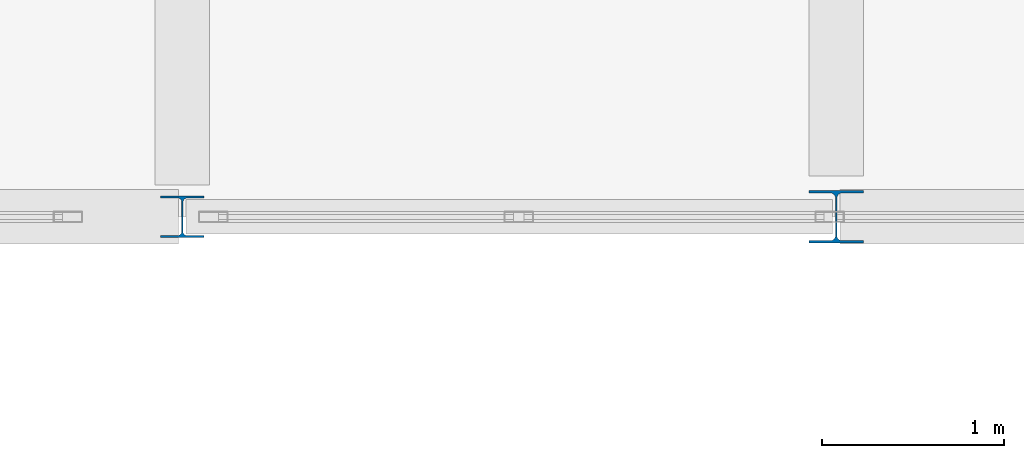
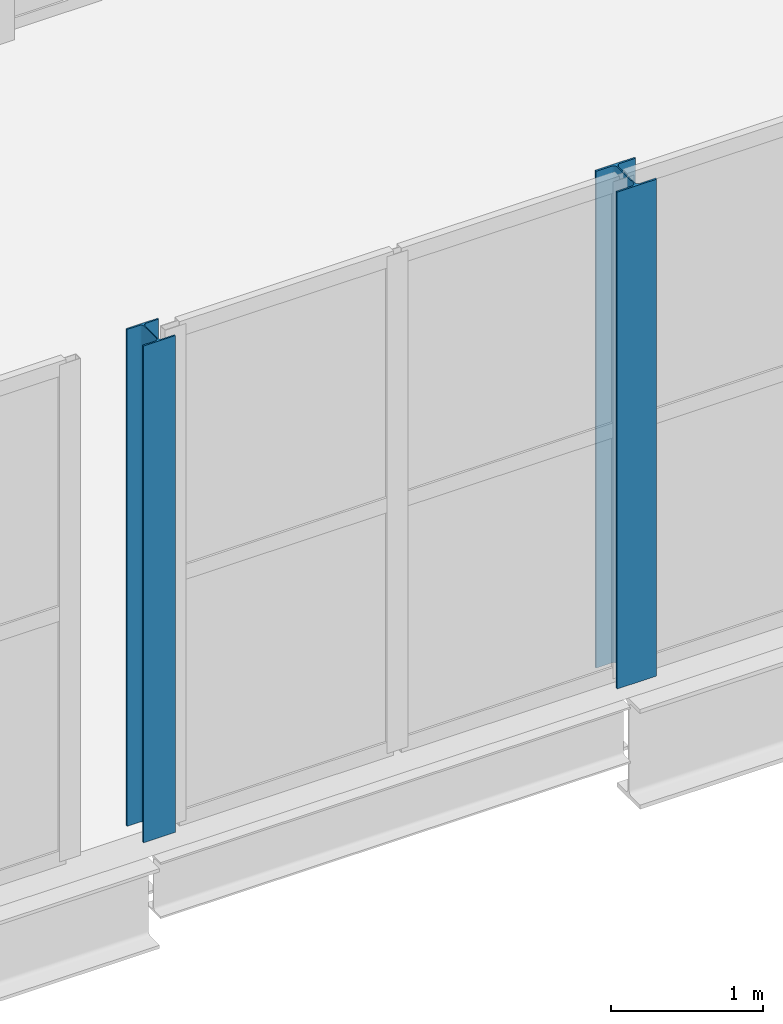
# One storey, part 15 of 138: 2 columns.
"""IFC4 building model written with IfcOpenShell, lengths in metres."""

import ifcopenshell
import ifcopenshell.guid

model = None  # the IFC model being written
_history = None  # IfcOwnerHistory: only IFC2X3 demands one
_inside = {}  # id of a spatial element -> (the spatial element, [elements in it])
_under = {}  # id of a project, library or spatial element -> (it, [spatial elements below it])
_declared = {}  # id of a project -> (the project, [libraries it declares])
_typed = {}  # id of a type object -> (the type object, [elements of that type])
_made_of = {}  # id of a material, layer set ... -> (it, [elements and type objects made of it])


def new_model(schema):
    """Start an empty IFC model of exactly this schema.

    Asked for "IFC4X3", IfcOpenShell would pick the latest addendum, in which some entities
    have other attributes; the version numbers below select the first issue.
    IFC2X3 requires an IfcOwnerHistory on every rooted entity: one is made here for all.
    """
    global model, _history
    if schema == "IFC4X3":
        model = ifcopenshell.file(schema_version=(4, 3, 0, 0))
    else:
        model = ifcopenshell.file(schema=schema)
    _inside.clear()
    _under.clear()
    _declared.clear()
    _typed.clear()
    _made_of.clear()
    _history = None
    if model.schema == "IFC2X3":
        org = make("IfcOrganization", Name="unknown")
        user = make(
            "IfcPersonAndOrganization",
            ThePerson=make("IfcPerson", FamilyName="unknown"),
            TheOrganization=org,
        )
        app = make(
            "IfcApplication",
            ApplicationDeveloper=org,
            Version="unknown",
            ApplicationFullName="unknown",
            ApplicationIdentifier="unknown",
        )
        _history = make(
            "IfcOwnerHistory",
            OwningUser=user,
            OwningApplication=app,
            ChangeAction="ADDED",
            CreationDate=0,
        )
    return model


def make(cls, **values):
    """One entity of the class cls with the attributes given. An attribute that is None is left unset."""
    return model.create_entity(
        cls, **{name: value for name, value in values.items() if value is not None}
    )


def rooted(cls, **values):
    """An entity with a GlobalId (a new one), such as an element, a storey or a relation."""
    return make(cls, GlobalId=ifcopenshell.guid.new(), OwnerHistory=_history, **values)


def si_unit(unit_type, name, prefix=None):
    """IfcSIUnit, for example si_unit("LENGTHUNIT", "METRE", prefix="MILLI")."""
    return make("IfcSIUnit", UnitType=unit_type, Prefix=prefix, Name=name)


def assignment(units):
    """IfcUnitAssignment: the units of a project."""
    return None if units is None else make("IfcUnitAssignment", Units=units)


def point(xyz):
    """IfcCartesianPoint."""
    return None if xyz is None else make("IfcCartesianPoint", Coordinates=xyz)


def direction(xyz):
    """IfcDirection."""
    return None if xyz is None else make("IfcDirection", DirectionRatios=xyz)


def frame(location, z_axis=None, x_axis=None):
    """IfcAxis2Placement3D, a coordinate frame: its origin and axes. An axis left out is left unset."""
    return make(
        "IfcAxis2Placement3D",
        Location=point(location),
        Axis=direction(z_axis),
        RefDirection=direction(x_axis),
    )


def frame_2d(location, x_axis=None):
    """IfcAxis2Placement2D, a coordinate frame in the plane: its origin and x axis."""
    return make(
        "IfcAxis2Placement2D", Location=point(location), RefDirection=direction(x_axis)
    )


def origin():
    """The frame at (0, 0, 0) with its axes left unset."""
    return frame((0.0, 0.0, 0.0))


def origin_2d():
    """The frame at (0, 0) in the plane with its x axis left unset."""
    return frame_2d((0.0, 0.0))


def place(relative_to, where):
    """IfcLocalPlacement: puts the frame where relative to a parent placement (None: the world)."""
    return make(
        "IfcLocalPlacement", PlacementRelTo=relative_to, RelativePlacement=where
    )


def context(
    kind, dimensions, precision=None, world=None, true_north=None, identifier=None
):
    """IfcGeometricRepresentationContext, for example the 3D "Model" context."""
    return make(
        "IfcGeometricRepresentationContext",
        ContextIdentifier=identifier,
        ContextType=kind,
        CoordinateSpaceDimension=dimensions,
        Precision=precision,
        WorldCoordinateSystem=world,
        TrueNorth=true_north,
    )


def subcontext(parent, identifier, kind, view, scale=None):
    """IfcGeometricRepresentationSubContext, for example "Body" below "Model"."""
    return make(
        "IfcGeometricRepresentationSubContext",
        ContextIdentifier=identifier,
        ContextType=kind,
        ParentContext=parent,
        TargetScale=scale,
        TargetView=view,
    )


def project(units=None, contexts=None):
    """IfcProject with its units and contexts."""
    return rooted(
        "IfcProject",
        Name="project",
        RepresentationContexts=contexts,
        UnitsInContext=assignment(units),
    )


def spatial(cls, under=None, at=None, **own):
    """A site, building, storey or space (cls), placed at a placement, below another one or the project."""
    s = rooted(cls, ObjectPlacement=at, **own)
    if under is not None:
        _under.setdefault(under.id(), (under, []))[1].append(s)
    return s


def profile(cls, at=None, kind="AREA", **sizes):
    """A parametric profile (cls). Its sizes go by their IFC names, for example OverallWidth=200.0."""
    return make(cls, ProfileType=kind, Position=at, **sizes)


def i_section(**sizes):
    """IfcIShapeProfileDef."""
    return profile("IfcIShapeProfileDef", **sizes)


def extrude(swept, where, along, depth):
    """IfcExtrudedAreaSolid: the profile swept, set in the frame where, extruded along a direction by depth."""
    return make(
        "IfcExtrudedAreaSolid",
        SweptArea=swept,
        Position=where,
        ExtrudedDirection=direction(along),
        Depth=depth,
    )


def shape(context_of_items, identifier, shape_type, items):
    """IfcShapeRepresentation: the items that make up one representation, for example the "Body"."""
    return make(
        "IfcShapeRepresentation",
        ContextOfItems=context_of_items,
        RepresentationIdentifier=identifier,
        RepresentationType=shape_type,
        Items=items,
    )


def material(Name=None, Category=None):
    """IfcMaterial."""
    return make("IfcMaterial", Name=Name, Category=Category)


def material_profile(
    of_material, cross_section, Name=None, Category=None, Priority=None
):
    """IfcMaterialProfile: a cross section and its material."""
    return make(
        "IfcMaterialProfile",
        Name=Name,
        Material=of_material,
        Profile=cross_section,
        Priority=Priority,
        Category=Category,
    )


def profile_set(profiles, Name=None, composite=None):
    """IfcMaterialProfileSet."""
    return make(
        "IfcMaterialProfileSet",
        Name=Name,
        MaterialProfiles=profiles,
        CompositeProfile=composite,
    )


def made_of(thing, what):
    """Note that an element or type object is made of a material, layer set ...; save() writes the relation."""
    if what is not None:
        _made_of.setdefault(what.id(), (what, []))[1].append(thing)
    return thing


def type_object(cls, material=None, **own):
    """A type object (cls), such as IfcWallType, which elements share."""
    return made_of(rooted(cls, **own), material)


def element(
    cls,
    number,
    at=None,
    inside=None,
    cuts=None,
    type_object=None,
    material=None,
    context=None,
    identifier="Body",
    shape_type=None,
    held_by="IfcProductDefinitionShape",
    body=None,
    shapes=None,
    **own,
):
    """One element of the class cls, such as IfcWall. Its Tag is "e" and its number.

    at: its placement. inside: the storey or other place that contains it. cuts: it is an
    opening in that element (IfcRelVoidsElement). A single representation is given by context,
    identifier, shape_type and body (its items); several are given by shapes. held_by: the class
    of the entity that holds the representations. save() writes the other relations.
    """
    e = rooted(cls, Tag="e%d" % number, ObjectPlacement=at, **own)
    if body is not None:
        shapes = [shape(context, identifier, shape_type, body)]
    if shapes is not None:
        e.Representation = make(held_by, Representations=shapes)
    if inside is not None:
        _inside.setdefault(inside.id(), (inside, []))[1].append(e)
    if cuts is not None:
        rooted(
            "IfcRelVoidsElement", RelatingBuildingElement=cuts, RelatedOpeningElement=e
        )
    if type_object is not None:
        _typed.setdefault(type_object.id(), (type_object, []))[1].append(e)
    return made_of(e, material)


def aggregate(whole, parts):
    """IfcRelAggregates: a whole, such as a stair, and the parts it consists of."""
    return rooted("IfcRelAggregates", RelatingObject=whole, RelatedObjects=parts)


def save(model, path):
    """Write the relations noted so far, then the file.

    IfcRelAggregates (storeys below a building ...), IfcRelContainedInSpatialStructure (elements
    in a storey), IfcRelDefinesByType, IfcRelAssociatesMaterial and IfcRelDeclares: one each for
    every whole, place, type object, material and project.
    """
    for whole, parts in _under.values():
        aggregate(whole, parts)
    for where, things in _inside.values():
        rooted(
            "IfcRelContainedInSpatialStructure",
            RelatedElements=things,
            RelatingStructure=where,
        )
    for kind, things in _typed.values():
        rooted("IfcRelDefinesByType", RelatedObjects=things, RelatingType=kind)
    for what, things in _made_of.values():
        rooted("IfcRelAssociatesMaterial", RelatedObjects=things, RelatingMaterial=what)
    for by, libraries in _declared.values():
        rooted("IfcRelDeclares", RelatingContext=by, RelatedDefinitions=libraries)
    model.write(path)


model = new_model("IFC4")

# Units and contexts
model_context = context("Model", 3, precision=1e-05, world=origin(), true_north=direction((0.0, 1.0)))
body_context = subcontext(model_context, "Body", "Model", "MODEL_VIEW")
ifc_project = project(units=[si_unit("LENGTHUNIT", "METRE"), si_unit("AREAUNIT", "SQUARE_METRE"), si_unit("VOLUMEUNIT", "CUBIC_METRE"), si_unit("PLANEANGLEUNIT", "RADIAN"), si_unit("MASSUNIT", "GRAM", prefix="KILO")], contexts=[model_context])

# Site, building, storey
site_placement = place(None, origin())
site = spatial("IfcSite", under=ifc_project, at=site_placement, CompositionType="ELEMENT")
building_placement = place(site_placement, origin())
building = spatial("IfcBuilding", under=site, at=building_placement, Name="Vinh Khe Railworks Police Headquarters", CompositionType="ELEMENT")
storey_placement = place(building_placement, frame((0.0, 0.0, 9.0)))
storey = spatial("IfcBuildingStorey", under=building, at=storey_placement, Name="L02", CompositionType="ELEMENT", Elevation=9.0)

# Columns
ifc_material = material(Name="Steel S355JR", Category="steel")
ifc_material_profile_1 = material_profile(ifc_material, i_section(OverallWidth=0.239990234375, OverallDepth=0.22998046875, WebThickness=0.007568359375, FlangeThickness=0.011962890625, FilletRadius=0.02099609375, at=origin_2d()), Name="HEA 240")
ifc_profile_set_1 = profile_set([ifc_material_profile_1], Name="Steel S355JR")
column_type_1 = type_object("IfcColumnType", Name="Steel Column HEA 240", PredefinedType="COLUMN", material=ifc_profile_set_1)
column_1_placement = place(storey_placement, frame((60.0, 96.0, 0.0), z_axis=(0.0, 0.0, 1.0), x_axis=(1.0, 0.0, 0.0)))
element("IfcColumn", 1, at=column_1_placement, inside=storey, type_object=column_type_1, Name="Column COL-L02-SC-20-1054", PredefinedType="COLUMN", context=body_context, shape_type="SweptSolid", body=[
    extrude(i_section(OverallWidth=0.239990234375, OverallDepth=0.22998046875, WebThickness=0.007568359375, FlangeThickness=0.011962890625, FilletRadius=0.02099609375, at=origin_2d()), origin(), (0.0, 0.0, 1.0), 3.97998046875),
])
ifc_material_profile_2 = material_profile(ifc_material, i_section(OverallWidth=0.300048828125, OverallDepth=0.2900390625, WebThickness=0.008544921875, FlangeThickness=0.013916015625, FilletRadius=0.027099609375, at=origin_2d()), Name="HEA 300")
ifc_profile_set_2 = profile_set([ifc_material_profile_2], Name="Steel S355JR")
column_type_2 = type_object("IfcColumnType", Name="Steel Column HEA 300", PredefinedType="COLUMN", material=ifc_profile_set_2)
column_2_placement = place(storey_placement, frame((63.60009765625, 96.0, 0.0), z_axis=(0.0, 0.0, 1.0), x_axis=(1.0, 0.0, 0.0)))
element("IfcColumn", 2, at=column_2_placement, inside=storey, type_object=column_type_2, Name="Column COL-L02-SC-18-1127", PredefinedType="COLUMN", context=body_context, shape_type="SweptSolid", body=[
    extrude(i_section(OverallWidth=0.300048828125, OverallDepth=0.2900390625, WebThickness=0.008544921875, FlangeThickness=0.013916015625, FilletRadius=0.027099609375, at=origin_2d()), origin(), (0.0, 0.0, 1.0), 3.97998046875),
])

save(model, "model.ifc")
